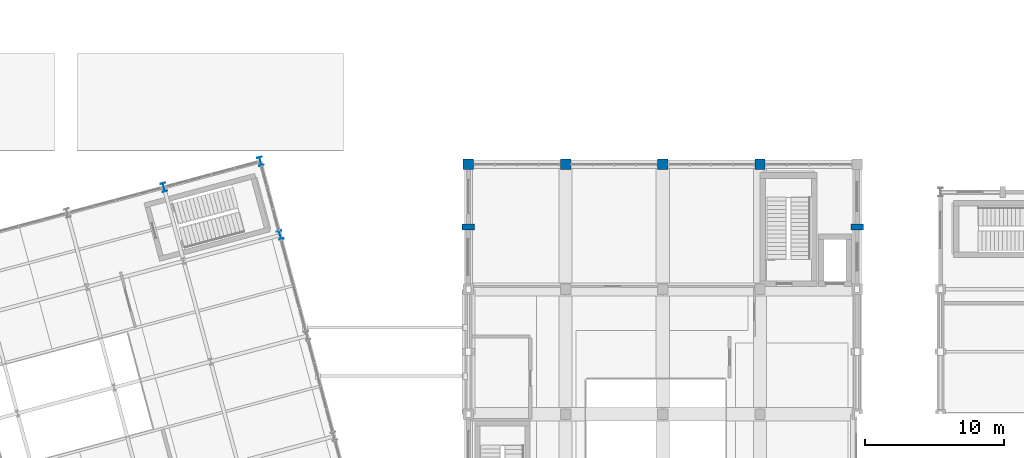
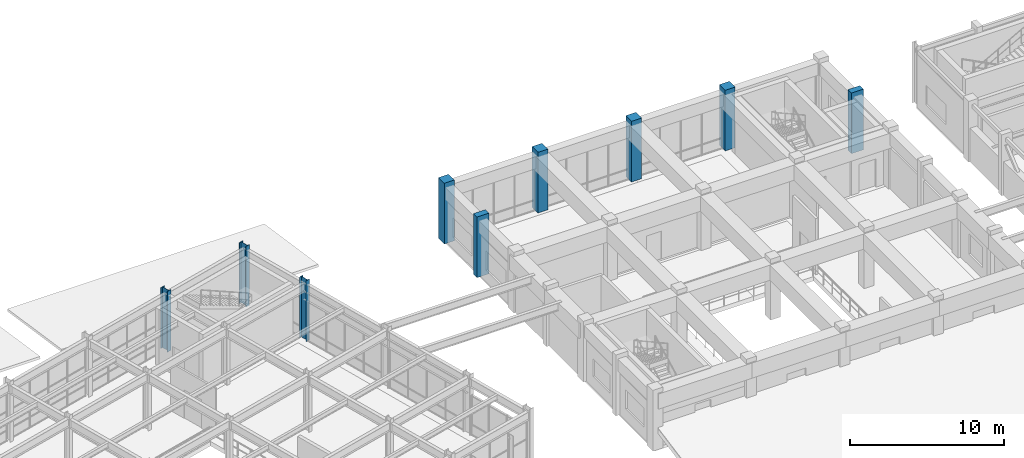
# One storey, part 6 of 104: 9 columns.
"""IFC4 building model written with IfcOpenShell, lengths in metres."""

from ifc_helpers import new_model, si_unit, direction, frame, origin, origin_2d, place, context, subcontext, project, spatial, rectangle, i_section, extrude, material, material_profile, profile_set, type_object, element, save


model = new_model("IFC4")

# Units and contexts
model_context = context("Model", 3, precision=1e-05, world=origin(), true_north=direction((0.0, 1.0)))
body_context = subcontext(model_context, "Body", "Model", "MODEL_VIEW")
ifc_project = project(units=[si_unit("LENGTHUNIT", "METRE"), si_unit("AREAUNIT", "SQUARE_METRE"), si_unit("VOLUMEUNIT", "CUBIC_METRE"), si_unit("PLANEANGLEUNIT", "RADIAN"), si_unit("MASSUNIT", "GRAM", prefix="KILO")], contexts=[model_context])

# Site, building, storey
site_placement = place(None, origin())
site = spatial("IfcSite", under=ifc_project, at=site_placement, CompositionType="ELEMENT")
building_placement = place(site_placement, origin())
building = spatial("IfcBuilding", under=site, at=building_placement, Name="Ventoquebrada Cableway Terminal", CompositionType="ELEMENT")
storey_placement = place(building_placement, frame((0.0, 0.0, 4.800048828125)))
storey = spatial("IfcBuildingStorey", under=building, at=storey_placement, Name="L01", CompositionType="ELEMENT", Elevation=4.800048828125)

# Columns
ifc_material_1 = material(Name="Concrete C40/50", Category="concrete")
ifc_material_profile_1 = material_profile(ifc_material_1, rectangle(XDim=0.75, YDim=0.75, at=origin_2d()), Name="RC-COL-750X750")
ifc_profile_set_1 = profile_set([ifc_material_profile_1], Name="Concrete C40/50")
column_type_1 = type_object("IfcColumnType", Name="COL-RC05", PredefinedType="COLUMN", material=ifc_profile_set_1)
for number, where, z_axis, x_axis, name in (
    (1, (95.0, 104.0, 0.0), (0.0, 0.0, 1.0), (1.0, 0.0, 0.0), "Structural column FC-0420"),
    (2, (102.0, 104.0, 0.0), (0.0, 0.0, 1.0), (1.0, 0.0, 0.0), "Structural column FC-0438"),
    (3, (109.0, 104.0, 0.0), (0.0, 0.0, 1.0), (1.0, 0.0, 0.0), "Structural column FC-0456"),
    (4, (116.0, 104.0, 0.0), (0.0, 0.0, 1.0), (1.0, 0.0, 0.0), "Structural column FC-0474"),
):
    element("IfcColumn", number, at=place(storey_placement, frame(where, z_axis=z_axis, x_axis=x_axis)), inside=storey, type_object=column_type_1, Name=name, PredefinedType="COLUMN", context=body_context, shape_type="SweptSolid", body=[
        extrude(rectangle(XDim=0.75, YDim=0.75, at=origin_2d()), origin(), (0.0, 0.0, 1.0), 4.800048828125),
    ])
ifc_material_2 = material(Name="Steel ASTM A992 Grade 50", Category="steel")
ifc_material_profile_2 = material_profile(ifc_material_2, i_section(OverallWidth=0.327880859375, OverallDepth=0.6220703125, WebThickness=0.015380859375, FlangeThickness=0.0244140625, at=origin_2d()), Name="W24X131")
ifc_profile_set_2 = profile_set([ifc_material_profile_2], Name="Steel ASTM A992 Grade 50")
column_type_2 = type_object("IfcColumnType", Name="COL-ST02", PredefinedType="COLUMN", material=ifc_profile_set_2)
for number, where, z_axis, x_axis, name in (
    (5, (73.06689453125, 102.35205078125, 0.0), (0.0, 0.0, 1.0), (0.965925826289, 0.258819045103, 0.0), "Structural column FC-0750"),
    (6, (81.446044921875, 98.903076171875, 0.0), (0.0, 0.0, 1.0), (0.965925826289, 0.258819045103, 0.0), "Structural column FC-0770"),
    (7, (80.02197265625, 104.216064453125, 0.0), (0.0, 0.0, 1.0), (0.965925826289, 0.258819045103, 0.0), "Structural column FC-0775"),
):
    element("IfcColumn", number, at=place(storey_placement, frame(where, z_axis=z_axis, x_axis=x_axis)), inside=storey, type_object=column_type_2, Name=name, PredefinedType="COLUMN", context=body_context, shape_type="SweptSolid", body=[
        extrude(i_section(OverallWidth=0.327880859375, OverallDepth=0.6220703125, WebThickness=0.015380859375, FlangeThickness=0.0244140625, at=origin_2d()), origin(), (0.0, 0.0, 1.0), 4.800048828125),
    ])
ifc_material_profile_3 = material_profile(ifc_material_1, rectangle(XDim=0.449951171875, YDim=0.89990234375, at=origin_2d()), Name="RC-PIL-450X900")
ifc_profile_set_3 = profile_set([ifc_material_profile_3], Name="Concrete C40/50")
column_type_3 = type_object("IfcColumnType", Name="PIL-RC02", PredefinedType="PILASTER", material=ifc_profile_set_3)
for number, where, z_axis, x_axis, name in (
    (8, (95.0, 99.5, 0.0), (0.0, 0.0, 1.0), (0.0, 1.0, 0.0), "Facade pilaster FPL-0506"),
    (9, (123.0, 99.5, 0.0), (0.0, 0.0, 1.0), (0.0, 1.0, 0.0), "Facade pilaster FPL-0520"),
):
    element("IfcColumn", number, at=place(storey_placement, frame(where, z_axis=z_axis, x_axis=x_axis)), inside=storey, type_object=column_type_3, Name=name, PredefinedType="PILASTER", context=body_context, shape_type="SweptSolid", body=[
        extrude(rectangle(XDim=0.449951171875, YDim=0.89990234375, at=origin_2d()), origin(), (0.0, 0.0, 1.0), 4.800048828125),
    ])

save(model, "model.ifc")
